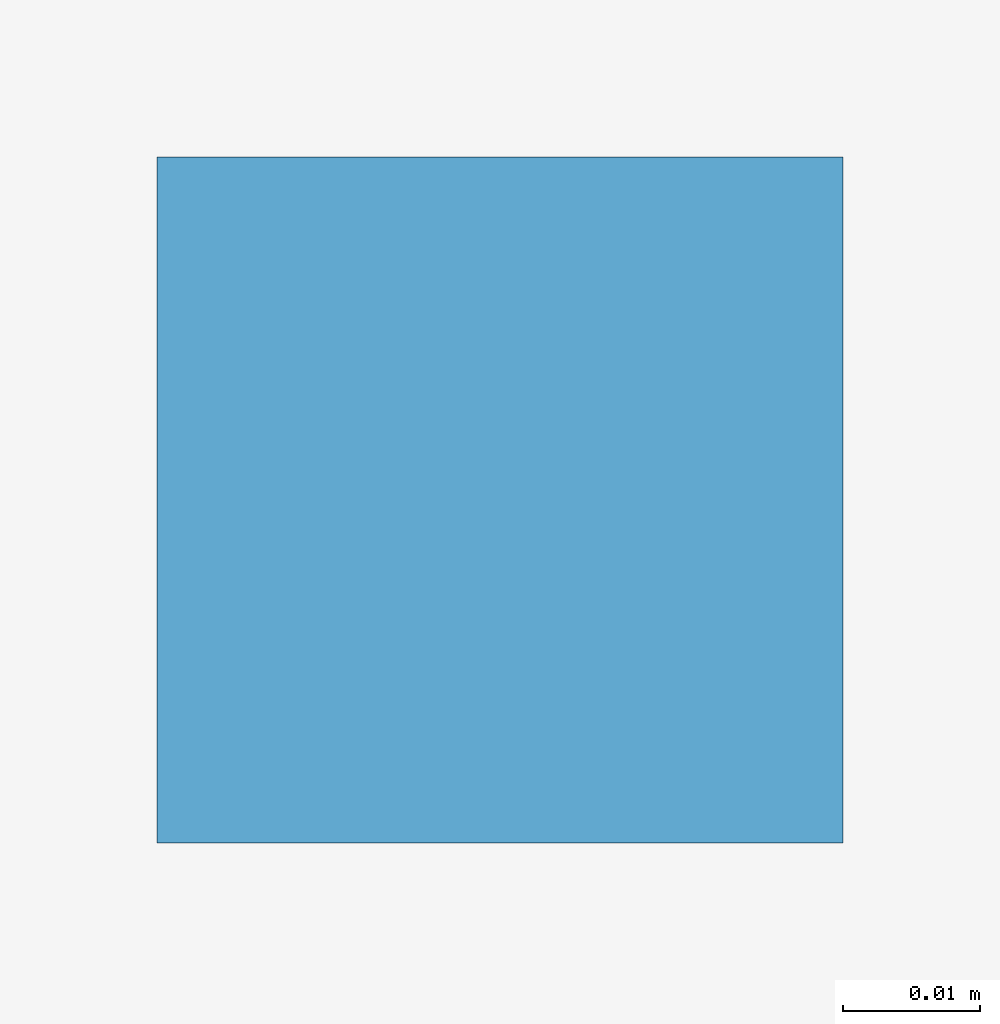
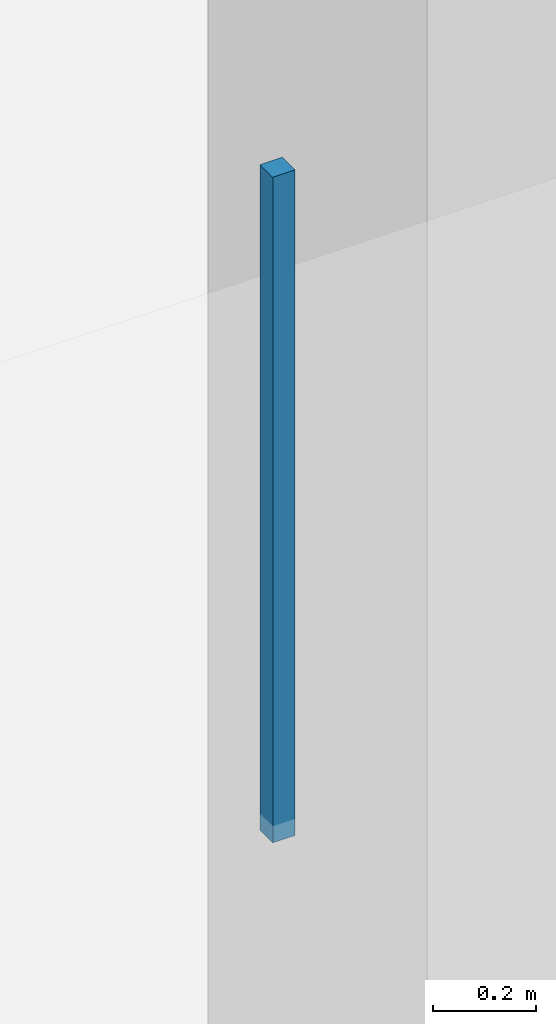
# One storey, part 35 of 56: 1 discrete accessory.
"""IFC4 building model written with IfcOpenShell, lengths in metres."""

import ifcopenshell
import ifcopenshell.guid

model = None  # the IFC model being written
_history = None  # IfcOwnerHistory: only IFC2X3 demands one
_inside = {}  # id of a spatial element -> (the spatial element, [elements in it])
_under = {}  # id of a project, library or spatial element -> (it, [spatial elements below it])
_declared = {}  # id of a project -> (the project, [libraries it declares])
_typed = {}  # id of a type object -> (the type object, [elements of that type])
_made_of = {}  # id of a material, layer set ... -> (it, [elements and type objects made of it])


def new_model(schema):
    """Start an empty IFC model of exactly this schema.

    Asked for "IFC4X3", IfcOpenShell would pick the latest addendum, in which some entities
    have other attributes; the version numbers below select the first issue.
    IFC2X3 requires an IfcOwnerHistory on every rooted entity: one is made here for all.
    """
    global model, _history
    if schema == "IFC4X3":
        model = ifcopenshell.file(schema_version=(4, 3, 0, 0))
    else:
        model = ifcopenshell.file(schema=schema)
    _inside.clear()
    _under.clear()
    _declared.clear()
    _typed.clear()
    _made_of.clear()
    _history = None
    if model.schema == "IFC2X3":
        org = make("IfcOrganization", Name="unknown")
        user = make(
            "IfcPersonAndOrganization",
            ThePerson=make("IfcPerson", FamilyName="unknown"),
            TheOrganization=org,
        )
        app = make(
            "IfcApplication",
            ApplicationDeveloper=org,
            Version="unknown",
            ApplicationFullName="unknown",
            ApplicationIdentifier="unknown",
        )
        _history = make(
            "IfcOwnerHistory",
            OwningUser=user,
            OwningApplication=app,
            ChangeAction="ADDED",
            CreationDate=0,
        )
    return model


def make(cls, **values):
    """One entity of the class cls with the attributes given. An attribute that is None is left unset."""
    return model.create_entity(
        cls, **{name: value for name, value in values.items() if value is not None}
    )


def rooted(cls, **values):
    """An entity with a GlobalId (a new one), such as an element, a storey or a relation."""
    return make(cls, GlobalId=ifcopenshell.guid.new(), OwnerHistory=_history, **values)


def si_unit(unit_type, name, prefix=None):
    """IfcSIUnit, for example si_unit("LENGTHUNIT", "METRE", prefix="MILLI")."""
    return make("IfcSIUnit", UnitType=unit_type, Prefix=prefix, Name=name)


def assignment(units):
    """IfcUnitAssignment: the units of a project."""
    return None if units is None else make("IfcUnitAssignment", Units=units)


def point(xyz):
    """IfcCartesianPoint."""
    return None if xyz is None else make("IfcCartesianPoint", Coordinates=xyz)


def direction(xyz):
    """IfcDirection."""
    return None if xyz is None else make("IfcDirection", DirectionRatios=xyz)


def frame(location, z_axis=None, x_axis=None):
    """IfcAxis2Placement3D, a coordinate frame: its origin and axes. An axis left out is left unset."""
    return make(
        "IfcAxis2Placement3D",
        Location=point(location),
        Axis=direction(z_axis),
        RefDirection=direction(x_axis),
    )


def frame_2d(location, x_axis=None):
    """IfcAxis2Placement2D, a coordinate frame in the plane: its origin and x axis."""
    return make(
        "IfcAxis2Placement2D", Location=point(location), RefDirection=direction(x_axis)
    )


def origin():
    """The frame at (0, 0, 0) with its axes left unset."""
    return frame((0.0, 0.0, 0.0))


def origin_2d():
    """The frame at (0, 0) in the plane with its x axis left unset."""
    return frame_2d((0.0, 0.0))


def place(relative_to, where):
    """IfcLocalPlacement: puts the frame where relative to a parent placement (None: the world)."""
    return make(
        "IfcLocalPlacement", PlacementRelTo=relative_to, RelativePlacement=where
    )


def context(
    kind, dimensions, precision=None, world=None, true_north=None, identifier=None
):
    """IfcGeometricRepresentationContext, for example the 3D "Model" context."""
    return make(
        "IfcGeometricRepresentationContext",
        ContextIdentifier=identifier,
        ContextType=kind,
        CoordinateSpaceDimension=dimensions,
        Precision=precision,
        WorldCoordinateSystem=world,
        TrueNorth=true_north,
    )


def subcontext(parent, identifier, kind, view, scale=None):
    """IfcGeometricRepresentationSubContext, for example "Body" below "Model"."""
    return make(
        "IfcGeometricRepresentationSubContext",
        ContextIdentifier=identifier,
        ContextType=kind,
        ParentContext=parent,
        TargetScale=scale,
        TargetView=view,
    )


def project(units=None, contexts=None):
    """IfcProject with its units and contexts."""
    return rooted(
        "IfcProject",
        Name="project",
        RepresentationContexts=contexts,
        UnitsInContext=assignment(units),
    )


def spatial(cls, under=None, at=None, **own):
    """A site, building, storey or space (cls), placed at a placement, below another one or the project."""
    s = rooted(cls, ObjectPlacement=at, **own)
    if under is not None:
        _under.setdefault(under.id(), (under, []))[1].append(s)
    return s


def profile(cls, at=None, kind="AREA", **sizes):
    """A parametric profile (cls). Its sizes go by their IFC names, for example OverallWidth=200.0."""
    return make(cls, ProfileType=kind, Position=at, **sizes)


def rectangle(**sizes):
    """IfcRectangleProfileDef."""
    return profile("IfcRectangleProfileDef", **sizes)


def extrude(swept, where, along, depth):
    """IfcExtrudedAreaSolid: the profile swept, set in the frame where, extruded along a direction by depth."""
    return make(
        "IfcExtrudedAreaSolid",
        SweptArea=swept,
        Position=where,
        ExtrudedDirection=direction(along),
        Depth=depth,
    )


def shape(context_of_items, identifier, shape_type, items):
    """IfcShapeRepresentation: the items that make up one representation, for example the "Body"."""
    return make(
        "IfcShapeRepresentation",
        ContextOfItems=context_of_items,
        RepresentationIdentifier=identifier,
        RepresentationType=shape_type,
        Items=items,
    )


def material(Name=None, Category=None):
    """IfcMaterial."""
    return make("IfcMaterial", Name=Name, Category=Category)


def made_of(thing, what):
    """Note that an element or type object is made of a material, layer set ...; save() writes the relation."""
    if what is not None:
        _made_of.setdefault(what.id(), (what, []))[1].append(thing)
    return thing


def type_object(cls, material=None, **own):
    """A type object (cls), such as IfcWallType, which elements share."""
    return made_of(rooted(cls, **own), material)


def element(
    cls,
    number,
    at=None,
    inside=None,
    cuts=None,
    type_object=None,
    material=None,
    context=None,
    identifier="Body",
    shape_type=None,
    held_by="IfcProductDefinitionShape",
    body=None,
    shapes=None,
    **own,
):
    """One element of the class cls, such as IfcWall. Its Tag is "e" and its number.

    at: its placement. inside: the storey or other place that contains it. cuts: it is an
    opening in that element (IfcRelVoidsElement). A single representation is given by context,
    identifier, shape_type and body (its items); several are given by shapes. held_by: the class
    of the entity that holds the representations. save() writes the other relations.
    """
    e = rooted(cls, Tag="e%d" % number, ObjectPlacement=at, **own)
    if body is not None:
        shapes = [shape(context, identifier, shape_type, body)]
    if shapes is not None:
        e.Representation = make(held_by, Representations=shapes)
    if inside is not None:
        _inside.setdefault(inside.id(), (inside, []))[1].append(e)
    if cuts is not None:
        rooted(
            "IfcRelVoidsElement", RelatingBuildingElement=cuts, RelatedOpeningElement=e
        )
    if type_object is not None:
        _typed.setdefault(type_object.id(), (type_object, []))[1].append(e)
    return made_of(e, material)


def aggregate(whole, parts):
    """IfcRelAggregates: a whole, such as a stair, and the parts it consists of."""
    return rooted("IfcRelAggregates", RelatingObject=whole, RelatedObjects=parts)


def save(model, path):
    """Write the relations noted so far, then the file.

    IfcRelAggregates (storeys below a building ...), IfcRelContainedInSpatialStructure (elements
    in a storey), IfcRelDefinesByType, IfcRelAssociatesMaterial and IfcRelDeclares: one each for
    every whole, place, type object, material and project.
    """
    for whole, parts in _under.values():
        aggregate(whole, parts)
    for where, things in _inside.values():
        rooted(
            "IfcRelContainedInSpatialStructure",
            RelatedElements=things,
            RelatingStructure=where,
        )
    for kind, things in _typed.values():
        rooted("IfcRelDefinesByType", RelatedObjects=things, RelatingType=kind)
    for what, things in _made_of.values():
        rooted("IfcRelAssociatesMaterial", RelatedObjects=things, RelatingMaterial=what)
    for by, libraries in _declared.values():
        rooted("IfcRelDeclares", RelatingContext=by, RelatedDefinitions=libraries)
    model.write(path)


model = new_model("IFC4")

# Units and contexts
model_context = context("Model", 3, precision=1e-05, world=origin(), true_north=direction((0.0, 1.0)))
body_context = subcontext(model_context, "Body", "Model", "MODEL_VIEW")
ifc_project = project(units=[si_unit("LENGTHUNIT", "METRE"), si_unit("AREAUNIT", "SQUARE_METRE"), si_unit("VOLUMEUNIT", "CUBIC_METRE"), si_unit("PLANEANGLEUNIT", "RADIAN"), si_unit("MASSUNIT", "GRAM", prefix="KILO")], contexts=[model_context])

# Site, building, storey
site_placement = place(None, origin())
site = spatial("IfcSite", under=ifc_project, at=site_placement, CompositionType="ELEMENT")
building_placement = place(site_placement, origin())
building = spatial("IfcBuilding", under=site, at=building_placement, Name="Kazehaya Institute of Natural Sciences", CompositionType="ELEMENT")
storey_placement = place(building_placement, origin())
storey = spatial("IfcBuildingStorey", under=building, at=storey_placement, Name="L00", CompositionType="ELEMENT", Elevation=0.0)

# Discrete accessory
ifc_material = material(Name="Structural steel SN490B", Category="steel")
discrete_accessory_type = type_object("IfcDiscreteAccessoryType", Name="ACC-CLG-HGR", PredefinedType="BRACKET", material=ifc_material)
discrete_accessory_placement = place(storey_placement, frame((16.008544921875, 17.602294921875, 3.74267578125), z_axis=(0.0, 0.0, 1.0), x_axis=(1.0, 0.0, 0.0)))
element("IfcDiscreteAccessory", 1, at=discrete_accessory_placement, inside=storey, type_object=discrete_accessory_type, Name="L00 ceiling suspension hanger 2", PredefinedType="BRACKET", context=body_context, shape_type="SweptSolid", body=[
    extrude(rectangle(XDim=0.050048828125, YDim=0.050048828125, at=origin_2d()), origin(), (0.0, 0.0, 1.0), 1.577392578125),
])

save(model, "model.ifc")
